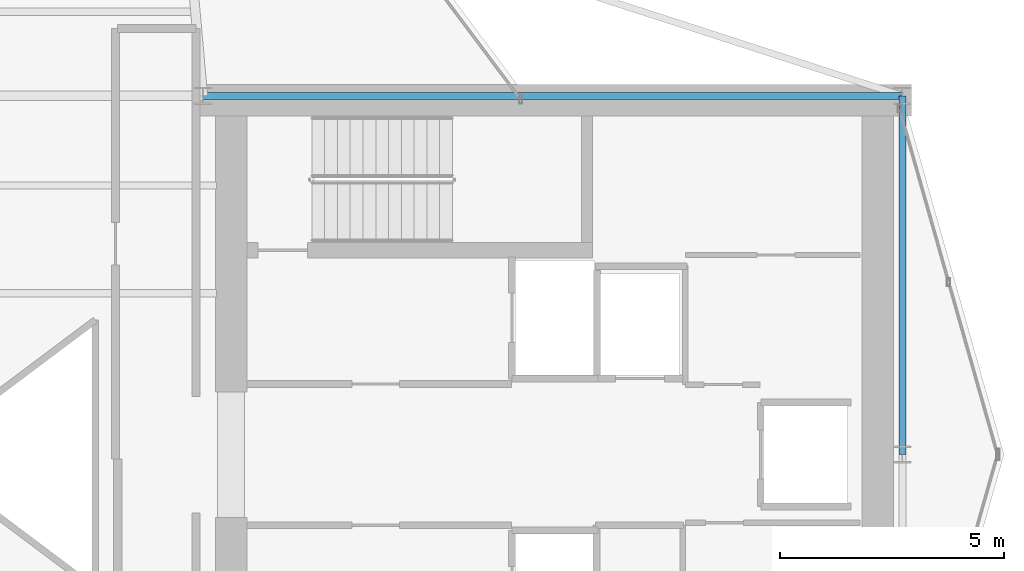
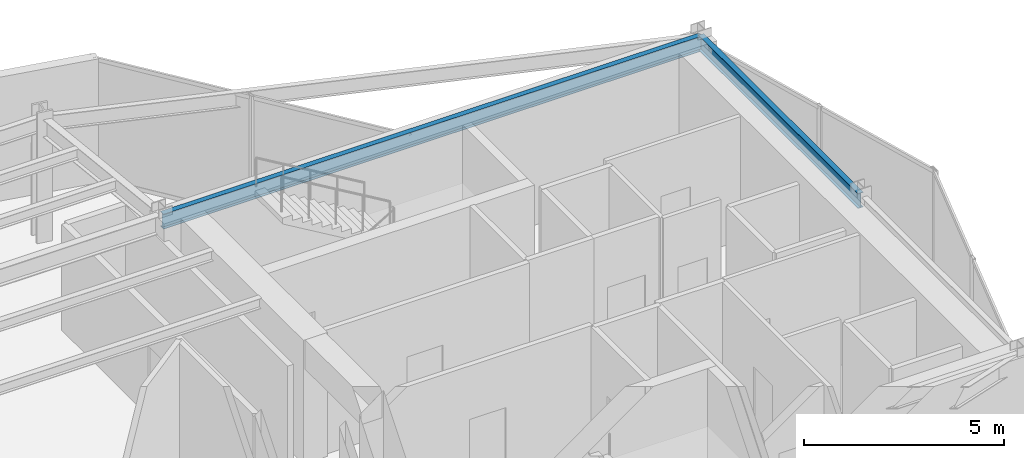
# One storey, part 12 of 18: 2 beams.
"""IFC4 building model written with IfcOpenShell, lengths in metres."""

import ifcopenshell
import ifcopenshell.guid

model = None  # the IFC model being written
_history = None  # IfcOwnerHistory: only IFC2X3 demands one
_inside = {}  # id of a spatial element -> (the spatial element, [elements in it])
_under = {}  # id of a project, library or spatial element -> (it, [spatial elements below it])
_declared = {}  # id of a project -> (the project, [libraries it declares])
_typed = {}  # id of a type object -> (the type object, [elements of that type])
_made_of = {}  # id of a material, layer set ... -> (it, [elements and type objects made of it])


def new_model(schema):
    """Start an empty IFC model of exactly this schema.

    Asked for "IFC4X3", IfcOpenShell would pick the latest addendum, in which some entities
    have other attributes; the version numbers below select the first issue.
    IFC2X3 requires an IfcOwnerHistory on every rooted entity: one is made here for all.
    """
    global model, _history
    if schema == "IFC4X3":
        model = ifcopenshell.file(schema_version=(4, 3, 0, 0))
    else:
        model = ifcopenshell.file(schema=schema)
    _inside.clear()
    _under.clear()
    _declared.clear()
    _typed.clear()
    _made_of.clear()
    _history = None
    if model.schema == "IFC2X3":
        org = make("IfcOrganization", Name="unknown")
        user = make(
            "IfcPersonAndOrganization",
            ThePerson=make("IfcPerson", FamilyName="unknown"),
            TheOrganization=org,
        )
        app = make(
            "IfcApplication",
            ApplicationDeveloper=org,
            Version="unknown",
            ApplicationFullName="unknown",
            ApplicationIdentifier="unknown",
        )
        _history = make(
            "IfcOwnerHistory",
            OwningUser=user,
            OwningApplication=app,
            ChangeAction="ADDED",
            CreationDate=0,
        )
    return model


def make(cls, **values):
    """One entity of the class cls with the attributes given. An attribute that is None is left unset."""
    return model.create_entity(
        cls, **{name: value for name, value in values.items() if value is not None}
    )


def rooted(cls, **values):
    """An entity with a GlobalId (a new one), such as an element, a storey or a relation."""
    return make(cls, GlobalId=ifcopenshell.guid.new(), OwnerHistory=_history, **values)


def si_unit(unit_type, name, prefix=None):
    """IfcSIUnit, for example si_unit("LENGTHUNIT", "METRE", prefix="MILLI")."""
    return make("IfcSIUnit", UnitType=unit_type, Prefix=prefix, Name=name)


def assignment(units):
    """IfcUnitAssignment: the units of a project."""
    return None if units is None else make("IfcUnitAssignment", Units=units)


def point(xyz):
    """IfcCartesianPoint."""
    return None if xyz is None else make("IfcCartesianPoint", Coordinates=xyz)


def direction(xyz):
    """IfcDirection."""
    return None if xyz is None else make("IfcDirection", DirectionRatios=xyz)


def frame(location, z_axis=None, x_axis=None):
    """IfcAxis2Placement3D, a coordinate frame: its origin and axes. An axis left out is left unset."""
    return make(
        "IfcAxis2Placement3D",
        Location=point(location),
        Axis=direction(z_axis),
        RefDirection=direction(x_axis),
    )


def frame_2d(location, x_axis=None):
    """IfcAxis2Placement2D, a coordinate frame in the plane: its origin and x axis."""
    return make(
        "IfcAxis2Placement2D", Location=point(location), RefDirection=direction(x_axis)
    )


def origin():
    """The frame at (0, 0, 0) with its axes left unset."""
    return frame((0.0, 0.0, 0.0))


def origin_2d():
    """The frame at (0, 0) in the plane with its x axis left unset."""
    return frame_2d((0.0, 0.0))


def place(relative_to, where):
    """IfcLocalPlacement: puts the frame where relative to a parent placement (None: the world)."""
    return make(
        "IfcLocalPlacement", PlacementRelTo=relative_to, RelativePlacement=where
    )


def context(
    kind, dimensions, precision=None, world=None, true_north=None, identifier=None
):
    """IfcGeometricRepresentationContext, for example the 3D "Model" context."""
    return make(
        "IfcGeometricRepresentationContext",
        ContextIdentifier=identifier,
        ContextType=kind,
        CoordinateSpaceDimension=dimensions,
        Precision=precision,
        WorldCoordinateSystem=world,
        TrueNorth=true_north,
    )


def subcontext(parent, identifier, kind, view, scale=None):
    """IfcGeometricRepresentationSubContext, for example "Body" below "Model"."""
    return make(
        "IfcGeometricRepresentationSubContext",
        ContextIdentifier=identifier,
        ContextType=kind,
        ParentContext=parent,
        TargetScale=scale,
        TargetView=view,
    )


def project(units=None, contexts=None):
    """IfcProject with its units and contexts."""
    return rooted(
        "IfcProject",
        Name="project",
        RepresentationContexts=contexts,
        UnitsInContext=assignment(units),
    )


def spatial(cls, under=None, at=None, **own):
    """A site, building, storey or space (cls), placed at a placement, below another one or the project."""
    s = rooted(cls, ObjectPlacement=at, **own)
    if under is not None:
        _under.setdefault(under.id(), (under, []))[1].append(s)
    return s


def profile(cls, at=None, kind="AREA", **sizes):
    """A parametric profile (cls). Its sizes go by their IFC names, for example OverallWidth=200.0."""
    return make(cls, ProfileType=kind, Position=at, **sizes)


def i_section(**sizes):
    """IfcIShapeProfileDef."""
    return profile("IfcIShapeProfileDef", **sizes)


def extrude(swept, where, along, depth):
    """IfcExtrudedAreaSolid: the profile swept, set in the frame where, extruded along a direction by depth."""
    return make(
        "IfcExtrudedAreaSolid",
        SweptArea=swept,
        Position=where,
        ExtrudedDirection=direction(along),
        Depth=depth,
    )


def shape(context_of_items, identifier, shape_type, items):
    """IfcShapeRepresentation: the items that make up one representation, for example the "Body"."""
    return make(
        "IfcShapeRepresentation",
        ContextOfItems=context_of_items,
        RepresentationIdentifier=identifier,
        RepresentationType=shape_type,
        Items=items,
    )


def material(Name=None, Category=None):
    """IfcMaterial."""
    return make("IfcMaterial", Name=Name, Category=Category)


def material_profile(
    of_material, cross_section, Name=None, Category=None, Priority=None
):
    """IfcMaterialProfile: a cross section and its material."""
    return make(
        "IfcMaterialProfile",
        Name=Name,
        Material=of_material,
        Profile=cross_section,
        Priority=Priority,
        Category=Category,
    )


def profile_set(profiles, Name=None, composite=None):
    """IfcMaterialProfileSet."""
    return make(
        "IfcMaterialProfileSet",
        Name=Name,
        MaterialProfiles=profiles,
        CompositeProfile=composite,
    )


def made_of(thing, what):
    """Note that an element or type object is made of a material, layer set ...; save() writes the relation."""
    if what is not None:
        _made_of.setdefault(what.id(), (what, []))[1].append(thing)
    return thing


def type_object(cls, material=None, **own):
    """A type object (cls), such as IfcWallType, which elements share."""
    return made_of(rooted(cls, **own), material)


def element(
    cls,
    number,
    at=None,
    inside=None,
    cuts=None,
    type_object=None,
    material=None,
    context=None,
    identifier="Body",
    shape_type=None,
    held_by="IfcProductDefinitionShape",
    body=None,
    shapes=None,
    **own,
):
    """One element of the class cls, such as IfcWall. Its Tag is "e" and its number.

    at: its placement. inside: the storey or other place that contains it. cuts: it is an
    opening in that element (IfcRelVoidsElement). A single representation is given by context,
    identifier, shape_type and body (its items); several are given by shapes. held_by: the class
    of the entity that holds the representations. save() writes the other relations.
    """
    e = rooted(cls, Tag="e%d" % number, ObjectPlacement=at, **own)
    if body is not None:
        shapes = [shape(context, identifier, shape_type, body)]
    if shapes is not None:
        e.Representation = make(held_by, Representations=shapes)
    if inside is not None:
        _inside.setdefault(inside.id(), (inside, []))[1].append(e)
    if cuts is not None:
        rooted(
            "IfcRelVoidsElement", RelatingBuildingElement=cuts, RelatedOpeningElement=e
        )
    if type_object is not None:
        _typed.setdefault(type_object.id(), (type_object, []))[1].append(e)
    return made_of(e, material)


def aggregate(whole, parts):
    """IfcRelAggregates: a whole, such as a stair, and the parts it consists of."""
    return rooted("IfcRelAggregates", RelatingObject=whole, RelatedObjects=parts)


def save(model, path):
    """Write the relations noted so far, then the file.

    IfcRelAggregates (storeys below a building ...), IfcRelContainedInSpatialStructure (elements
    in a storey), IfcRelDefinesByType, IfcRelAssociatesMaterial and IfcRelDeclares: one each for
    every whole, place, type object, material and project.
    """
    for whole, parts in _under.values():
        aggregate(whole, parts)
    for where, things in _inside.values():
        rooted(
            "IfcRelContainedInSpatialStructure",
            RelatedElements=things,
            RelatingStructure=where,
        )
    for kind, things in _typed.values():
        rooted("IfcRelDefinesByType", RelatedObjects=things, RelatingType=kind)
    for what, things in _made_of.values():
        rooted("IfcRelAssociatesMaterial", RelatedObjects=things, RelatingMaterial=what)
    for by, libraries in _declared.values():
        rooted("IfcRelDeclares", RelatingContext=by, RelatedDefinitions=libraries)
    model.write(path)


model = new_model("IFC4")

# Units and contexts
model_context = context("Model", 3, precision=1e-05, world=origin(), true_north=direction((0.0, 1.0)))
body_context = subcontext(model_context, "Body", "Model", "MODEL_VIEW")
ifc_project = project(units=[si_unit("LENGTHUNIT", "METRE"), si_unit("AREAUNIT", "SQUARE_METRE"), si_unit("VOLUMEUNIT", "CUBIC_METRE"), si_unit("PLANEANGLEUNIT", "RADIAN"), si_unit("MASSUNIT", "GRAM", prefix="KILO")], contexts=[model_context])

# Site, building, storey
site_placement = place(None, origin())
site = spatial("IfcSite", under=ifc_project, at=site_placement, CompositionType="ELEMENT")
building_placement = place(site_placement, origin())
building = spatial("IfcBuilding", under=site, at=building_placement, Name="Veymaron Broadcast Tower", CompositionType="ELEMENT")
storey_placement = place(building_placement, frame((0.0, 0.0, 236.39990234375)))
storey = spatial("IfcBuildingStorey", under=building, at=storey_placement, Name="L55", CompositionType="ELEMENT", Elevation=236.39990234375)

# Beams
ifc_material = material(Name="Structural steel ASTM A992 Gr 50", Category="steel")
ifc_material_profile = material_profile(ifc_material, i_section(OverallWidth=0.154052734375, OverallDepth=0.458984375, WebThickness=0.009033203125, FlangeThickness=0.015380859375, at=origin_2d()), Name="W460X68")
ifc_profile_set = profile_set([ifc_material_profile], Name="Structural steel ASTM A992 Gr 50")
beam_type = type_object("IfcBeamType", Name="BM-SP2", PredefinedType="SPANDREL", material=ifc_profile_set)
beam_1_placement = place(storey_placement, frame((39.0, 32.0, 3.560546875), z_axis=(1.0, 0.0, 0.0), x_axis=(0.0, 1.0, 0.0)))
element("IfcBeam", 1, at=beam_1_placement, inside=storey, type_object=beam_type, Name="L55 primary structural floor girder", PredefinedType="SPANDREL", context=body_context, shape_type="SweptSolid", body=[
    extrude(i_section(OverallWidth=0.154052734375, OverallDepth=0.458984375, WebThickness=0.009033203125, FlangeThickness=0.015380859375, at=origin_2d()), origin(), (0.0, 0.0, 1.0), 15.60009765625),
])
beam_2_placement = place(storey_placement, frame((54.60009765625, 24.0, 3.560546875), z_axis=(0.0, 1.0, 0.0), x_axis=(-1.0, 0.0, 0.0)))
element("IfcBeam", 2, at=beam_2_placement, inside=storey, type_object=beam_type, Name="L55 primary structural floor girder", PredefinedType="SPANDREL", context=body_context, shape_type="SweptSolid", body=[
    extrude(i_section(OverallWidth=0.154052734375, OverallDepth=0.458984375, WebThickness=0.009033203125, FlangeThickness=0.015380859375, at=origin_2d()), origin(), (0.0, 0.0, 1.0), 8.0),
])

save(model, "model.ifc")
